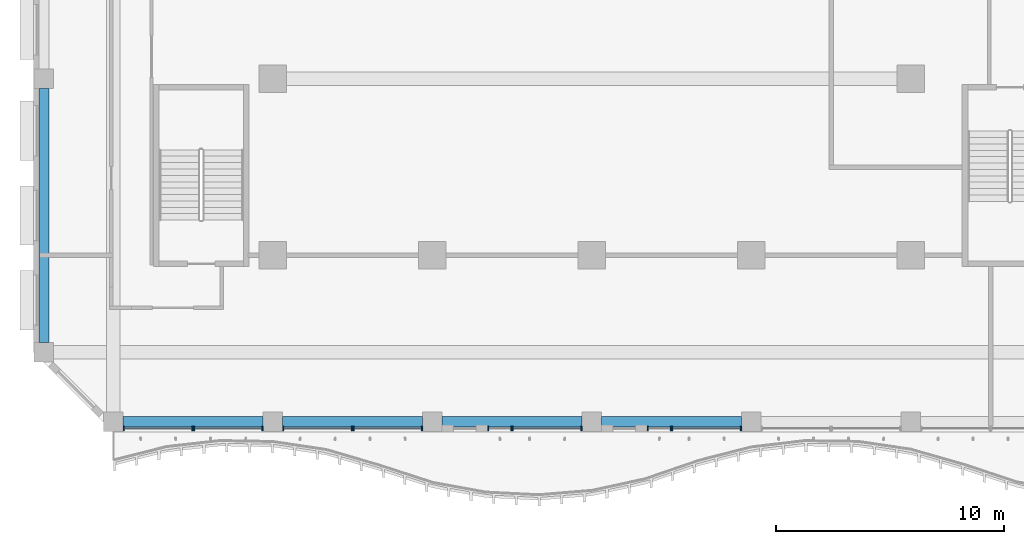
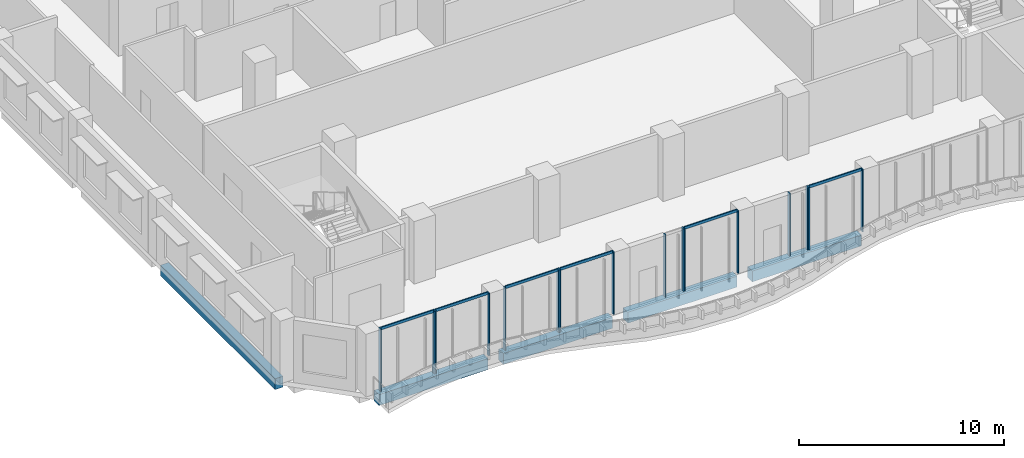
# One storey, part 2 of 25: 22 members, 5 beams, 8 elements without a shape of their own.
"""IFC4 building model written with IfcOpenShell, lengths in metres."""

from ifc_helpers import new_model, si_unit, direction, frame, origin, origin_2d, place, context, subcontext, project, spatial, rectangle, extrude, source, transform, mapped, material, material_profile, profile_set, type_object, element, aggregate, save


model = new_model("IFC4")

# Units and contexts
model_context = context("Model", 3, precision=1e-05, world=origin(), true_north=direction((0.0, 1.0)))
body_context = subcontext(model_context, "Body", "Model", "MODEL_VIEW")
ifc_project = project(units=[si_unit("LENGTHUNIT", "METRE"), si_unit("AREAUNIT", "SQUARE_METRE"), si_unit("VOLUMEUNIT", "CUBIC_METRE"), si_unit("PLANEANGLEUNIT", "RADIAN"), si_unit("MASSUNIT", "GRAM", prefix="KILO")], contexts=[model_context])

# Site, building, storey
site_placement = place(None, origin())
site = spatial("IfcSite", under=ifc_project, at=site_placement, CompositionType="ELEMENT")
building_placement = place(site_placement, origin())
building = spatial("IfcBuilding", under=site, at=building_placement, Name="Kilnfold Tower and Market Hall", CompositionType="ELEMENT")
storey_placement = place(building_placement, frame((0.0, 0.0, 120.60009765625)))
storey = spatial("IfcBuildingStorey", under=building, at=storey_placement, Name="L28", CompositionType="ELEMENT", Elevation=120.60009765625)

# Beams
ifc_material_1 = material(Name="Concrete C45", Category="concrete")
ifc_material_profile_1 = material_profile(ifc_material_1, rectangle(XDim=0.449951171875, YDim=0.64990234375, at=origin_2d()), Name="RC 450x650")
ifc_profile_set_1 = profile_set([ifc_material_profile_1], Name="Concrete C45")
beam_type = type_object("IfcBeamType", Name="EDGE BEAM 450X650 C45", PredefinedType="BEAM", material=ifc_profile_set_1)
shared_shape_1 = source(origin(), body_context, "Body", "SweptSolid", [
    extrude(rectangle(XDim=0.449951171875, YDim=0.64990234375, at=origin_2d()), origin(), (0.0, 0.0, 1.0), 6.14990234375),
])
for number, where, z_axis, x_axis, name in (
    (1, (-19.074951171875, -22.550048828125, -0.60498046875), (1.0, 0.0, 0.0), (0.0, 1.0, 0.0), "Beam EB650-B3.52"),
    (2, (-12.074951171875, -22.550048828125, -0.60498046875), (1.0, 0.0, 0.0), (0.0, 1.0, 0.0), "Beam EB650-B3.53"),
    (3, (-5.074951171875, -22.550048828125, -0.60498046875), (1.0, 0.0, 0.0), (0.0, 1.0, 0.0), "Beam EB650-B3.54"),
    (4, (1.925048828125, -22.550048828125, -0.60498046875), (1.0, 0.0, 0.0), (0.0, 1.0, 0.0), "Beam EB650-B3.55"),
):
    element("IfcBeam", number, at=place(storey_placement, frame(where, z_axis=z_axis, x_axis=x_axis)), inside=storey, type_object=beam_type, Name=name, PredefinedType="BEAM", context=body_context, shape_type="MappedRepresentation", body=[
        mapped(shared_shape_1, transform((0.0, 0.0, 0.0))),
    ])
shared_shape_2 = source(origin(), body_context, "Body", "SweptSolid", [
    extrude(rectangle(XDim=0.449951171875, YDim=0.64990234375, at=origin_2d()), origin(), (0.0, 0.0, 1.0), 11.14990234375),
])
beam_placement = place(storey_placement, frame((-22.550048828125, -19.074951171875, -0.60498046875), z_axis=(0.0, 1.0, 0.0), x_axis=(-1.0, 0.0, 0.0)))
element("IfcBeam", 5, at=beam_placement, inside=storey, type_object=beam_type, Name="Beam EB650-B3.74", PredefinedType="BEAM", context=body_context, shape_type="MappedRepresentation", body=[
    mapped(shared_shape_2, transform((0.0, 0.0, 0.0))),
])

# Curtain wall, members
ifc_material_2 = material(Name="Aluminium and double glazing", Category="aluminium")
curtain_wall_type = type_object("IfcCurtainWallType", Name="CW OF2 VALLEY GLAZING", PredefinedType="NOTDEFINED", material=ifc_material_2)
curtain_wall_1_placement = place(storey_placement, origin())
curtain_wall_1 = element("IfcCurtainWall", 6, at=curtain_wall_1_placement, inside=storey, type_object=curtain_wall_type, Name="Curtain wall CW2 L28 S", PredefinedType="NOTDEFINED")
ifc_material_3 = material(Name="Aluminium", Category="aluminium")
ifc_material_profile_2 = material_profile(ifc_material_3, rectangle(XDim=0.06005859375, YDim=0.199951171875, at=origin_2d()), Name="MULLION 60x200")
ifc_profile_set_2 = profile_set([ifc_material_profile_2], Name="Aluminium")
member_type_1 = type_object("IfcMemberType", Name="MULLION 60X200", PredefinedType="MULLION", material=ifc_profile_set_2)
shared_shape_3 = source(origin(), body_context, "Body", "SweptSolid", [
    extrude(rectangle(XDim=0.06005859375, YDim=0.199951171875, at=origin_2d()), origin(), (0.0, 0.0, 1.0), 3.719970703125),
])
member_1_placement = place(storey_placement, frame((-19.044921875, -22.85009765625, 0.0), z_axis=(0.0, 0.0, 1.0), x_axis=(1.0, 0.0, 0.0)))
member_1 = element("IfcMember", 7, at=member_1_placement, type_object=member_type_1, Name="CW2 mullion 1", PredefinedType="MULLION", context=body_context, shape_type="MappedRepresentation", body=[
    mapped(shared_shape_3, transform((0.0, 0.0, 0.0))),
])
member_2_placement = place(storey_placement, frame((-16.030029296875, -22.85009765625, 0.0), z_axis=(0.0, 0.0, 1.0), x_axis=(1.0, 0.0, 0.0)))
member_2 = element("IfcMember", 8, at=member_2_placement, type_object=member_type_1, Name="CW2 mullion 2", PredefinedType="MULLION", context=body_context, shape_type="MappedRepresentation", body=[
    mapped(shared_shape_3, transform((0.0, 0.0, 0.0))),
])

curtain_wall_2_placement = place(storey_placement, origin())
curtain_wall_2 = element("IfcCurtainWall", 9, at=curtain_wall_2_placement, inside=storey, type_object=curtain_wall_type, Name="Curtain wall CW2 L28 S", PredefinedType="NOTDEFINED")
member_3_placement = place(storey_placement, frame((-15.969970703125, -22.85009765625, 0.0), z_axis=(0.0, 0.0, 1.0), x_axis=(1.0, 0.0, 0.0)))
member_3 = element("IfcMember", 10, at=member_3_placement, type_object=member_type_1, Name="CW2 mullion 1", PredefinedType="MULLION", context=body_context, shape_type="MappedRepresentation", body=[
    mapped(shared_shape_3, transform((0.0, 0.0, 0.0))),
])
member_4_placement = place(storey_placement, frame((-12.955078125, -22.85009765625, 0.0), z_axis=(0.0, 0.0, 1.0), x_axis=(1.0, 0.0, 0.0)))
member_4 = element("IfcMember", 11, at=member_4_placement, type_object=member_type_1, Name="CW2 mullion 2", PredefinedType="MULLION", context=body_context, shape_type="MappedRepresentation", body=[
    mapped(shared_shape_3, transform((0.0, 0.0, 0.0))),
])

curtain_wall_3_placement = place(storey_placement, origin())
curtain_wall_3 = element("IfcCurtainWall", 12, at=curtain_wall_3_placement, inside=storey, type_object=curtain_wall_type, Name="Curtain wall CW2 L28 S", PredefinedType="NOTDEFINED")
member_5_placement = place(storey_placement, frame((-12.044921875, -22.85009765625, 0.0), z_axis=(0.0, 0.0, 1.0), x_axis=(1.0, 0.0, 0.0)))
member_5 = element("IfcMember", 13, at=member_5_placement, type_object=member_type_1, Name="CW2 mullion 1", PredefinedType="MULLION", context=body_context, shape_type="MappedRepresentation", body=[
    mapped(shared_shape_3, transform((0.0, 0.0, 0.0))),
])
member_6_placement = place(storey_placement, frame((-9.030029296875, -22.85009765625, 0.0), z_axis=(0.0, 0.0, 1.0), x_axis=(1.0, 0.0, 0.0)))
member_6 = element("IfcMember", 14, at=member_6_placement, type_object=member_type_1, Name="CW2 mullion 2", PredefinedType="MULLION", context=body_context, shape_type="MappedRepresentation", body=[
    mapped(shared_shape_3, transform((0.0, 0.0, 0.0))),
])

curtain_wall_4_placement = place(storey_placement, origin())
curtain_wall_4 = element("IfcCurtainWall", 15, at=curtain_wall_4_placement, inside=storey, type_object=curtain_wall_type, Name="Curtain wall CW2 L28 S", PredefinedType="NOTDEFINED")
member_7_placement = place(storey_placement, frame((-8.969970703125, -22.85009765625, 0.0), z_axis=(0.0, 0.0, 1.0), x_axis=(1.0, 0.0, 0.0)))
member_7 = element("IfcMember", 16, at=member_7_placement, type_object=member_type_1, Name="CW2 mullion 1", PredefinedType="MULLION", context=body_context, shape_type="MappedRepresentation", body=[
    mapped(shared_shape_3, transform((0.0, 0.0, 0.0))),
])
member_8_placement = place(storey_placement, frame((-5.955078125, -22.85009765625, 0.0), z_axis=(0.0, 0.0, 1.0), x_axis=(1.0, 0.0, 0.0)))
member_8 = element("IfcMember", 17, at=member_8_placement, type_object=member_type_1, Name="CW2 mullion 2", PredefinedType="MULLION", context=body_context, shape_type="MappedRepresentation", body=[
    mapped(shared_shape_3, transform((0.0, 0.0, 0.0))),
])

curtain_wall_5_placement = place(storey_placement, origin())
curtain_wall_5 = element("IfcCurtainWall", 18, at=curtain_wall_5_placement, inside=storey, type_object=curtain_wall_type, Name="Curtain wall CW2 L28 S", PredefinedType="NOTDEFINED")
member_9_placement = place(storey_placement, frame((-3.044921875, -22.85009765625, 0.0), z_axis=(0.0, 0.0, 1.0), x_axis=(1.0, 0.0, 0.0)))
member_9 = element("IfcMember", 19, at=member_9_placement, type_object=member_type_1, Name="CW2 mullion 1", PredefinedType="MULLION", context=body_context, shape_type="MappedRepresentation", body=[
    mapped(shared_shape_3, transform((0.0, 0.0, 0.0))),
])
member_10_placement = place(storey_placement, frame((-2.030029296875, -22.85009765625, 0.0), z_axis=(0.0, 0.0, 1.0), x_axis=(1.0, 0.0, 0.0)))
member_10 = element("IfcMember", 20, at=member_10_placement, type_object=member_type_1, Name="CW2 mullion 2", PredefinedType="MULLION", context=body_context, shape_type="MappedRepresentation", body=[
    mapped(shared_shape_3, transform((0.0, 0.0, 0.0))),
])
aggregate(curtain_wall_5, [member_9, member_10])

curtain_wall_6_placement = place(storey_placement, origin())
curtain_wall_6 = element("IfcCurtainWall", 21, at=curtain_wall_6_placement, inside=storey, type_object=curtain_wall_type, Name="Curtain wall CW2 L28 S", PredefinedType="NOTDEFINED")
member_11_placement = place(storey_placement, frame((-1.969970703125, -22.85009765625, 0.0), z_axis=(0.0, 0.0, 1.0), x_axis=(1.0, 0.0, 0.0)))
member_11 = element("IfcMember", 22, at=member_11_placement, type_object=member_type_1, Name="CW2 mullion 1", PredefinedType="MULLION", context=body_context, shape_type="MappedRepresentation", body=[
    mapped(shared_shape_3, transform((0.0, 0.0, 0.0))),
])
member_12_placement = place(storey_placement, frame((1.044921875, -22.85009765625, 0.0), z_axis=(0.0, 0.0, 1.0), x_axis=(1.0, 0.0, 0.0)))
member_12 = element("IfcMember", 23, at=member_12_placement, type_object=member_type_1, Name="CW2 mullion 2", PredefinedType="MULLION", context=body_context, shape_type="MappedRepresentation", body=[
    mapped(shared_shape_3, transform((0.0, 0.0, 0.0))),
])

curtain_wall_7_placement = place(storey_placement, origin())
curtain_wall_7 = element("IfcCurtainWall", 24, at=curtain_wall_7_placement, inside=storey, type_object=curtain_wall_type, Name="Curtain wall CW2 L28 S", PredefinedType="NOTDEFINED")
member_13_placement = place(storey_placement, frame((3.955078125, -22.85009765625, 0.0), z_axis=(0.0, 0.0, 1.0), x_axis=(1.0, 0.0, 0.0)))
member_13 = element("IfcMember", 25, at=member_13_placement, type_object=member_type_1, Name="CW2 mullion 1", PredefinedType="MULLION", context=body_context, shape_type="MappedRepresentation", body=[
    mapped(shared_shape_3, transform((0.0, 0.0, 0.0))),
])
member_14_placement = place(storey_placement, frame((4.969970703125, -22.85009765625, 0.0), z_axis=(0.0, 0.0, 1.0), x_axis=(1.0, 0.0, 0.0)))
member_14 = element("IfcMember", 26, at=member_14_placement, type_object=member_type_1, Name="CW2 mullion 2", PredefinedType="MULLION", context=body_context, shape_type="MappedRepresentation", body=[
    mapped(shared_shape_3, transform((0.0, 0.0, 0.0))),
])
aggregate(curtain_wall_7, [member_13, member_14])

curtain_wall_8_placement = place(storey_placement, origin())
curtain_wall_8 = element("IfcCurtainWall", 27, at=curtain_wall_8_placement, inside=storey, type_object=curtain_wall_type, Name="Curtain wall CW2 L28 S", PredefinedType="NOTDEFINED")
member_15_placement = place(storey_placement, frame((5.030029296875, -22.85009765625, 0.0), z_axis=(0.0, 0.0, 1.0), x_axis=(1.0, 0.0, 0.0)))
member_15 = element("IfcMember", 28, at=member_15_placement, type_object=member_type_1, Name="CW2 mullion 1", PredefinedType="MULLION", context=body_context, shape_type="MappedRepresentation", body=[
    mapped(shared_shape_3, transform((0.0, 0.0, 0.0))),
])
member_16_placement = place(storey_placement, frame((8.044921875, -22.85009765625, 0.0), z_axis=(0.0, 0.0, 1.0), x_axis=(1.0, 0.0, 0.0)))
member_16 = element("IfcMember", 29, at=member_16_placement, type_object=member_type_1, Name="CW2 mullion 2", PredefinedType="MULLION", context=body_context, shape_type="MappedRepresentation", body=[
    mapped(shared_shape_3, transform((0.0, 0.0, 0.0))),
])

# Member
ifc_material_4 = material(Name="Aluminium", Category="aluminium")
ifc_material_profile_3 = material_profile(ifc_material_4, rectangle(XDim=0.06005859375, YDim=0.159912109375, at=origin_2d()), Name="TRANSOM 60x160")
ifc_profile_set_3 = profile_set([ifc_material_profile_3], Name="Aluminium")
member_type_2 = type_object("IfcMemberType", Name="TRANSOM 60X160", PredefinedType="USERDEFINED", material=ifc_profile_set_3)
shared_shape_4 = source(origin(), body_context, "Body", "SweptSolid", [
    extrude(rectangle(XDim=0.06005859375, YDim=0.159912109375, at=origin_2d()), origin(), (0.0, 0.0, 1.0), 2.954833984375),
])
member_17_placement = place(storey_placement, frame((-19.014892578125, -22.85009765625, 3.68994140625), z_axis=(1.0, 0.0, 0.0), x_axis=(0.0, 1.0, 0.0)))
member_17 = element("IfcMember", 30, at=member_17_placement, type_object=member_type_2, Name="CW2 transom 1.2", ObjectType="TRANSOM", PredefinedType="USERDEFINED", context=body_context, shape_type="MappedRepresentation", body=[
    mapped(shared_shape_4, transform((0.0, 0.0, 0.0))),
])

aggregate(curtain_wall_1, [member_1, member_2, member_17])

member_18_placement = place(storey_placement, frame((-15.93994140625, -22.85009765625, 3.68994140625), z_axis=(1.0, 0.0, 0.0), x_axis=(0.0, 1.0, 0.0)))
member_18 = element("IfcMember", 31, at=member_18_placement, type_object=member_type_2, Name="CW2 transom 1.2", ObjectType="TRANSOM", PredefinedType="USERDEFINED", context=body_context, shape_type="MappedRepresentation", body=[
    mapped(shared_shape_4, transform((0.0, 0.0, 0.0))),
])

aggregate(curtain_wall_2, [member_3, member_4, member_18])

member_19_placement = place(storey_placement, frame((-12.014892578125, -22.85009765625, 3.68994140625), z_axis=(1.0, 0.0, 0.0), x_axis=(0.0, 1.0, 0.0)))
member_19 = element("IfcMember", 32, at=member_19_placement, type_object=member_type_2, Name="CW2 transom 1.2", ObjectType="TRANSOM", PredefinedType="USERDEFINED", context=body_context, shape_type="MappedRepresentation", body=[
    mapped(shared_shape_4, transform((0.0, 0.0, 0.0))),
])

aggregate(curtain_wall_3, [member_5, member_6, member_19])

member_20_placement = place(storey_placement, frame((-8.93994140625, -22.85009765625, 3.68994140625), z_axis=(1.0, 0.0, 0.0), x_axis=(0.0, 1.0, 0.0)))
member_20 = element("IfcMember", 33, at=member_20_placement, type_object=member_type_2, Name="CW2 transom 1.2", ObjectType="TRANSOM", PredefinedType="USERDEFINED", context=body_context, shape_type="MappedRepresentation", body=[
    mapped(shared_shape_4, transform((0.0, 0.0, 0.0))),
])

aggregate(curtain_wall_4, [member_7, member_8, member_20])

member_21_placement = place(storey_placement, frame((-1.93994140625, -22.85009765625, 3.68994140625), z_axis=(1.0, 0.0, 0.0), x_axis=(0.0, 1.0, 0.0)))
member_21 = element("IfcMember", 34, at=member_21_placement, type_object=member_type_2, Name="CW2 transom 1.2", ObjectType="TRANSOM", PredefinedType="USERDEFINED", context=body_context, shape_type="MappedRepresentation", body=[
    mapped(shared_shape_4, transform((0.0, 0.0, 0.0))),
])

aggregate(curtain_wall_6, [member_11, member_12, member_21])

member_22_placement = place(storey_placement, frame((5.06005859375, -22.85009765625, 3.68994140625), z_axis=(1.0, 0.0, 0.0), x_axis=(0.0, 1.0, 0.0)))
member_22 = element("IfcMember", 35, at=member_22_placement, type_object=member_type_2, Name="CW2 transom 1.2", ObjectType="TRANSOM", PredefinedType="USERDEFINED", context=body_context, shape_type="MappedRepresentation", body=[
    mapped(shared_shape_4, transform((0.0, 0.0, 0.0))),
])

aggregate(curtain_wall_8, [member_15, member_16, member_22])

save(model, "model.ifc")
